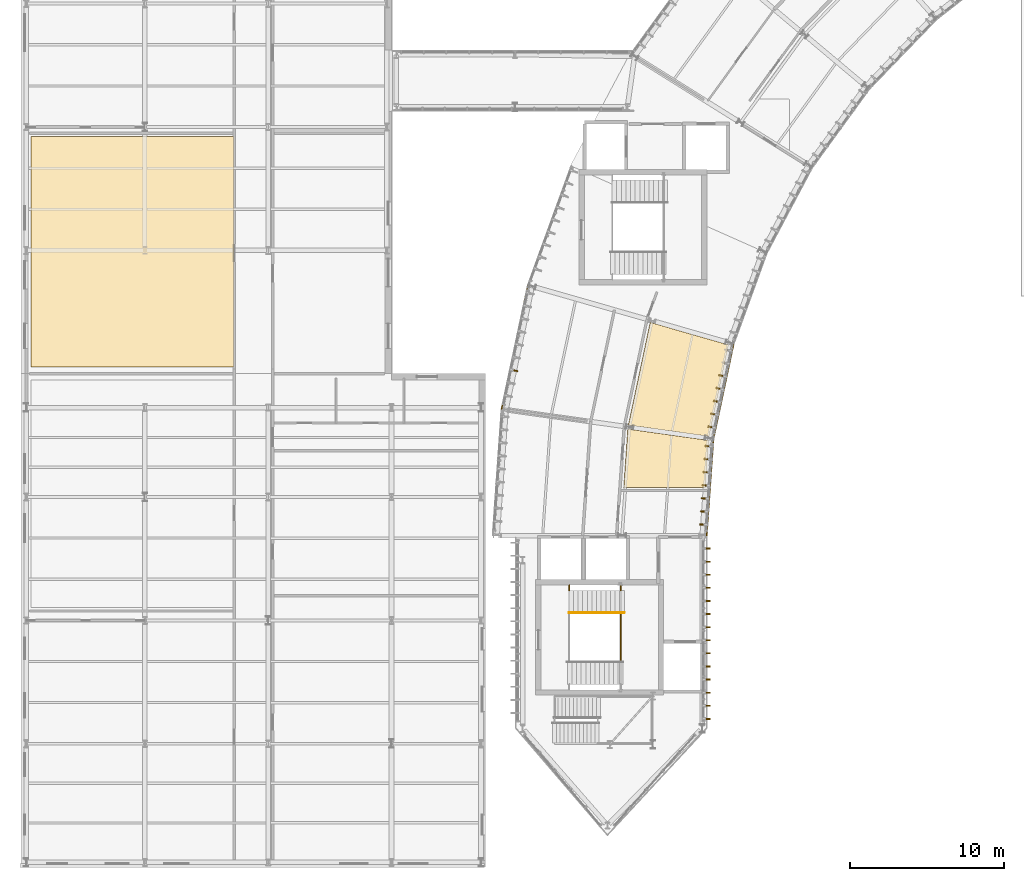
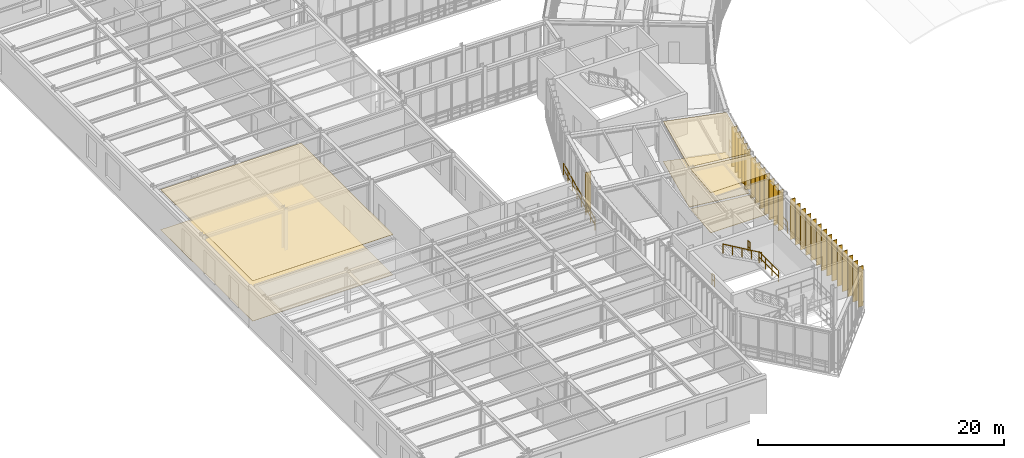
# One storey, part 50 of 57: 33 coverings, 7 railings.
"""IFC4 building model written with IfcOpenShell, lengths in metres."""

from ifc_helpers import new_model, si_unit, direction, frame, origin, origin_2d, place, context, subcontext, project, spatial, polyline, rectangle, circle, outline, extrude, material, layer, layer_set, type_object, element, save


model = new_model("IFC4")

# Units and contexts
model_context = context("Model", 3, precision=1e-05, world=origin(), true_north=direction((0.0, 1.0)))
body_context = subcontext(model_context, "Body", "Model", "MODEL_VIEW")
ifc_project = project(units=[si_unit("LENGTHUNIT", "METRE"), si_unit("AREAUNIT", "SQUARE_METRE"), si_unit("VOLUMEUNIT", "CUBIC_METRE"), si_unit("PLANEANGLEUNIT", "RADIAN"), si_unit("MASSUNIT", "GRAM", prefix="KILO"), si_unit("THERMODYNAMICTEMPERATUREUNIT", "KELVIN"), si_unit("POWERUNIT", "WATT")], contexts=[model_context])

# Site, building, storey
site_placement = place(None, origin())
site = spatial("IfcSite", under=ifc_project, at=site_placement, CompositionType="ELEMENT")
building_placement = place(site_placement, origin())
building = spatial("IfcBuilding", under=site, at=building_placement, Name="Solvatero Civic Police Headquarters", CompositionType="ELEMENT")
storey_placement = place(building_placement, frame((0.0, 0.0, 9.300048828125)))
storey = spatial("IfcBuildingStorey", under=building, at=storey_placement, Name="L02", CompositionType="ELEMENT", Elevation=9.300048828125)

# Coverings
ifc_material_1 = material(Name="Mineral-Fibre Acoustic Tile", Category="gypsum")
ifc_layer_1 = layer(ifc_material_1, 0.02490234375)
ifc_layer_set_1 = layer_set([ifc_layer_1], Name="Mineral-Fibre Acoustic Tile")
covering_type_1 = type_object("IfcCoveringType", Name="COV-CEIL-AC", PredefinedType="CEILING", material=ifc_layer_set_1)
covering_1_placement = place(storey_placement, frame((0.0, 0.0, 3.974853515625)))
element("IfcCovering", 1, at=covering_1_placement, inside=storey, type_object=covering_type_1, Name="Acoustic Ceiling ISO-7 Forensic DNA Extraction Cleanroom", PredefinedType="CEILING", context=body_context, shape_type="SweptSolid", body=[
    extrude(outline(polyline([(5.1201171875, 36.919921875), (5.1201171875, 51.8798828125), (18.280029296875, 51.8798828125), (18.280029296875, 36.919921875), (5.1201171875, 36.919921875)])), origin(), (0.0, 0.0, 1.0), 0.025146484375),
])
covering_2_placement = place(storey_placement, frame((0.0, 0.0, 3.974853515625)))
element("IfcCovering", 2, at=covering_2_placement, inside=storey, type_object=covering_type_1, Name="Acoustic Ceiling Homicide and Major Crimes Squad Bay 11", PredefinedType="CEILING", context=body_context, shape_type="SweptSolid", body=[
    extrude(outline(polyline([(49.09619140625, 32.431884765625), (43.8583984375, 33.168212890625), (45.2734375, 39.826416015625), (50.358154296875, 38.368408203125), (49.09619140625, 32.431884765625)])), origin(), (0.0, 0.0, 1.0), 0.025146484375),
])
covering_3_placement = place(storey_placement, frame((0.0, 0.0, 3.974853515625)))
element("IfcCovering", 3, at=covering_3_placement, inside=storey, type_object=covering_type_1, Name="Acoustic Ceiling Homicide and Major Crimes Squad Bay 12", PredefinedType="CEILING", context=body_context, shape_type="SweptSolid", body=[
    extrude(outline(polyline([(48.8486328125, 29.1298828125), (43.55908203125, 29.1298828125), (43.823486328125, 32.910400390625), (49.0615234375, 32.17431640625), (48.8486328125, 29.1298828125)])), origin(), (0.0, 0.0, 1.0), 0.025146484375),
])
ifc_material_2 = material(Name="Anodized Bronze Aluminium", Category="aluminium")
ifc_layer_2 = layer(ifc_material_2, 0.080078125)
ifc_layer_set_2 = layer_set([ifc_layer_2], Name="Anodized Bronze Aluminium")
covering_type_2 = type_object("IfcCoveringType", Name="COV-FIN-480", PredefinedType="CLADDING", material=ifc_layer_set_2)
for number, where, z_axis, x_axis, name in (
    (4, (36.443115234375, 36.713134765625, -0.02001953125), (0.0, 0.0, 1.0), (-0.207911690818, -0.978147600734, 0.0), "Vertical Brise-Soleil Fin 0513"),
    (5, (49.970458984375, 36.35400390625, -0.02001953125), (0.0, 0.0, 1.0), (-0.207911690818, -0.978147600734, 0.0), "Vertical Brise-Soleil Fin 0518"),
    (6, (49.793701171875, 35.522705078125, -0.02001953125), (0.0, 0.0, 1.0), (-0.207911690818, -0.978147600734, 0.0), "Vertical Brise-Soleil Fin 0519"),
    (7, (49.616943359375, 34.691162109375, -0.02001953125), (0.0, 0.0, 1.0), (-0.207911690818, -0.978147600734, 0.0), "Vertical Brise-Soleil Fin 0520"),
    (8, (49.440185546875, 33.859619140625, -0.02001953125), (0.0, 0.0, 1.0), (-0.207911690818, -0.978147600734, 0.0), "Vertical Brise-Soleil Fin 0521"),
    (9, (49.263427734375, 33.0283203125, -0.02001953125), (0.0, 0.0, 1.0), (-0.207911690818, -0.978147600734, 0.0), "Vertical Brise-Soleil Fin 0522"),
    (10, (49.07470703125, 31.79638671875, -0.02001953125), (0.0, 0.0, 1.0), (-0.069756473744, -0.99756405026, 0.0), "Vertical Brise-Soleil Fin 0532"),
    (11, (49.015380859375, 30.948486328125, -0.02001953125), (0.0, 0.0, 1.0), (-0.069756473744, -0.99756405026, 0.0), "Vertical Brise-Soleil Fin 0533"),
    (12, (48.956298828125, 30.1005859375, -0.02001953125), (0.0, 0.0, 1.0), (-0.069756473744, -0.99756405026, 0.0), "Vertical Brise-Soleil Fin 0534"),
    (13, (48.89697265625, 29.25244140625, -0.02001953125), (0.0, 0.0, 1.0), (-0.069756473744, -0.99756405026, 0.0), "Vertical Brise-Soleil Fin 0535"),
    (14, (48.837646484375, 28.404541015625, -0.02001953125), (0.0, 0.0, 1.0), (-0.069756473744, -0.99756405026, 0.0), "Vertical Brise-Soleil Fin 0536"),
    (15, (48.7783203125, 27.556640625, -0.02001953125), (0.0, 0.0, 1.0), (-0.069756473744, -0.99756405026, 0.0), "Vertical Brise-Soleil Fin 0537"),
    (16, (48.718994140625, 26.708740234375, -0.02001953125), (0.0, 0.0, 1.0), (-0.069756473744, -0.99756405026, 0.0), "Vertical Brise-Soleil Fin 0538"),
    (17, (48.929931640625, 14.110107421875, -0.02001953125), (0.0, 0.0, 1.0), (0.0, 1.0, 0.0), "Vertical Brise-Soleil Fin 0553"),
    (18, (48.929931640625, 14.9599609375, -0.02001953125), (0.0, 0.0, 1.0), (0.0, 1.0, 0.0), "Vertical Brise-Soleil Fin 0554"),
    (19, (48.929931640625, 15.81005859375, -0.02001953125), (0.0, 0.0, 1.0), (0.0, 1.0, 0.0), "Vertical Brise-Soleil Fin 0555"),
    (20, (48.929931640625, 16.659912109375, -0.02001953125), (0.0, 0.0, 1.0), (0.0, 1.0, 0.0), "Vertical Brise-Soleil Fin 0556"),
    (21, (48.929931640625, 17.510009765625, -0.02001953125), (0.0, 0.0, 1.0), (0.0, 1.0, 0.0), "Vertical Brise-Soleil Fin 0557"),
    (22, (48.929931640625, 18.360107421875, -0.02001953125), (0.0, 0.0, 1.0), (0.0, 1.0, 0.0), "Vertical Brise-Soleil Fin 0558"),
    (23, (48.929931640625, 19.2099609375, -0.02001953125), (0.0, 0.0, 1.0), (0.0, 1.0, 0.0), "Vertical Brise-Soleil Fin 0559"),
    (24, (48.929931640625, 20.06005859375, -0.02001953125), (0.0, 0.0, 1.0), (0.0, 1.0, 0.0), "Vertical Brise-Soleil Fin 0560"),
    (25, (48.929931640625, 20.909912109375, -0.02001953125), (0.0, 0.0, 1.0), (0.0, 1.0, 0.0), "Vertical Brise-Soleil Fin 0561"),
    (26, (48.929931640625, 21.760009765625, -0.02001953125), (0.0, 0.0, 1.0), (0.0, 1.0, 0.0), "Vertical Brise-Soleil Fin 0562"),
    (27, (48.929931640625, 22.610107421875, -0.02001953125), (0.0, 0.0, 1.0), (0.0, 1.0, 0.0), "Vertical Brise-Soleil Fin 0563"),
    (28, (48.929931640625, 23.4599609375, -0.02001953125), (0.0, 0.0, 1.0), (0.0, 1.0, 0.0), "Vertical Brise-Soleil Fin 0564"),
    (29, (48.929931640625, 24.31005859375, -0.02001953125), (0.0, 0.0, 1.0), (0.0, 1.0, 0.0), "Vertical Brise-Soleil Fin 0565"),
    (30, (48.929931640625, 25.159912109375, -0.02001953125), (0.0, 0.0, 1.0), (0.0, 1.0, 0.0), "Vertical Brise-Soleil Fin 0566"),
):
    element("IfcCovering", number, at=place(storey_placement, frame(where, z_axis=z_axis, x_axis=x_axis)), inside=storey, type_object=covering_type_2, Name=name, PredefinedType="CLADDING", context=body_context, shape_type="SweptSolid", body=[
        extrude(rectangle(XDim=0.080078125, YDim=0.47998046875, at=origin_2d()), origin(), (0.0, 0.0, 1.0), 3.97998046875),
    ])
ifc_material_3 = material(Name="Anti-Static Laboratory Epoxy", Category="plastic")
ifc_layer_3 = layer(ifc_material_3, 0.014892578125)
ifc_layer_set_3 = layer_set([ifc_layer_3], Name="Anti-Static Laboratory Epoxy")
covering_type_3 = type_object("IfcCoveringType", Name="COV-FLR-EPX", PredefinedType="FLOORING", material=ifc_layer_set_3)
covering_4_placement = place(storey_placement, origin())
element("IfcCovering", 31, at=covering_4_placement, inside=storey, type_object=covering_type_3, Name="Flooring ISO-7 Forensic DNA Extraction Cleanroom", PredefinedType="FLOORING", context=body_context, shape_type="SweptSolid", body=[
    extrude(outline(polyline([(5.1201171875, 36.919921875), (5.1201171875, 51.8798828125), (18.280029296875, 51.8798828125), (18.280029296875, 36.919921875), (5.1201171875, 36.919921875)])), origin(), (0.0, 0.0, 1.0), 0.014892578125),
])
ifc_material_4 = material(Name="Venetian Terrazzo Stone", Category="masonry")
ifc_layer_4 = layer(ifc_material_4, 0.034912109375)
ifc_layer_set_4 = layer_set([ifc_layer_4], Name="Venetian Terrazzo Stone")
covering_type_4 = type_object("IfcCoveringType", Name="COV-FLR-TER", PredefinedType="FLOORING", material=ifc_layer_set_4)
covering_5_placement = place(storey_placement, origin())
element("IfcCovering", 32, at=covering_5_placement, inside=storey, type_object=covering_type_4, Name="Flooring Homicide and Major Crimes Squad Bay 11", PredefinedType="FLOORING", context=body_context, shape_type="SweptSolid", body=[
    extrude(outline(polyline([(49.09619140625, 32.431884765625), (43.8583984375, 33.168212890625), (45.2734375, 39.826416015625), (50.358154296875, 38.368408203125), (49.09619140625, 32.431884765625)])), origin(), (0.0, 0.0, 1.0), 0.034912109375),
])
covering_6_placement = place(storey_placement, origin())
element("IfcCovering", 33, at=covering_6_placement, inside=storey, type_object=covering_type_4, Name="Flooring Homicide and Major Crimes Squad Bay 12", PredefinedType="FLOORING", context=body_context, shape_type="SweptSolid", body=[
    extrude(outline(polyline([(48.8486328125, 29.1298828125), (43.55908203125, 29.1298828125), (43.823486328125, 32.910400390625), (49.0615234375, 32.17431640625), (48.8486328125, 29.1298828125)])), origin(), (0.0, 0.0, 1.0), 0.034912109375),
])

# Railings
ifc_material_5 = material(Name="Anodized Bronze and Laminated Glass", Category="glass")
railing_type_1 = type_object("IfcRailingType", Name="RL-BAL-115", PredefinedType="BALUSTRADE", material=ifc_material_5)
railing_1_placement = place(storey_placement, frame((50.685546875, 38.420166015625, 0.0)))
element("IfcRailing", 34, at=railing_1_placement, inside=storey, type_object=railing_type_1, Name="Glazed Facade Sill Balustrade RL-L02-ARCIN-B11", PredefinedType="BALUSTRADE", context=body_context, shape_type="SweptSolid", body=[
    extrude(circle(Radius=0.02392578125, at=origin_2d()), frame((0.0, 0.0, 1.1259765625), z_axis=(-0.207924245306, -0.978144932111, 0.0), x_axis=(0.978144932111, -0.207924245306, 0.0)), (0.0, 0.0, 1.0), 6.28662109375),
    extrude(circle(Radius=0.02392578125, at=origin_2d()), frame((0.0, 0.0, 0.55078125), z_axis=(-0.207924245306, -0.978144932111, 0.0), x_axis=(0.978144932111, -0.207924245306, 0.0)), (0.0, 0.0, 1.0), 6.28662109375),
    extrude(circle(Radius=0.02099609375, at=origin_2d()), origin(), (0.0, 0.0, 1.0), 1.101806640625),
    extrude(circle(Radius=0.02099609375, at=origin_2d()), frame((-0.2177734375, -1.02490234375, 0.0)), (0.0, 0.0, 1.0), 1.101806640625),
    extrude(circle(Radius=0.02099609375, at=origin_2d()), frame((-0.435791015625, -2.0498046875, 0.0)), (0.0, 0.0, 1.0), 1.101806640625),
    extrude(circle(Radius=0.02099609375, at=origin_2d()), frame((-0.653564453125, -3.07470703125, 0.0)), (0.0, 0.0, 1.0), 1.101806640625),
    extrude(circle(Radius=0.02099609375, at=origin_2d()), frame((-0.871337890625, -4.099365234375, 0.0)), (0.0, 0.0, 1.0), 1.101806640625),
    extrude(circle(Radius=0.02099609375, at=origin_2d()), frame((-1.08935546875, -5.124267578125, 0.0)), (0.0, 0.0, 1.0), 1.101806640625),
    extrude(circle(Radius=0.02099609375, at=origin_2d()), frame((-1.30712890625, -6.149169921875, 0.0)), (0.0, 0.0, 1.0), 1.101806640625),
])
railing_2_placement = place(storey_placement, frame((37.34326171875, 42.24609375, 0.0)))
element("IfcRailing", 35, at=railing_2_placement, inside=storey, type_object=railing_type_1, Name="Glazed Facade Sill Balustrade RL-L02-ARCOUT-B11", PredefinedType="BALUSTRADE", context=body_context, shape_type="SweptSolid", body=[
    extrude(circle(Radius=0.02392578125, at=origin_2d()), frame((0.0, 0.0, 1.1259765625), z_axis=(-0.207920896775, -0.978145643902, 0.0), x_axis=(0.978145643902, -0.207920896775, 0.0)), (0.0, 0.0, 1.0), 8.222900390625),
    extrude(circle(Radius=0.02392578125, at=origin_2d()), frame((0.0, 0.0, 0.55078125), z_axis=(-0.207920896775, -0.978145643902, 0.0), x_axis=(0.978145643902, -0.207920896775, 0.0)), (0.0, 0.0, 1.0), 8.222900390625),
    extrude(circle(Radius=0.02099609375, at=origin_2d()), origin(), (0.0, 0.0, 1.0), 1.101806640625),
    extrude(circle(Radius=0.02099609375, at=origin_2d()), frame((-0.244140625, -1.14892578125, 0.0)), (0.0, 0.0, 1.0), 1.101806640625),
    extrude(circle(Radius=0.02099609375, at=origin_2d()), frame((-0.488525390625, -2.298095703125, 0.0)), (0.0, 0.0, 1.0), 1.101806640625),
    extrude(circle(Radius=0.02099609375, at=origin_2d()), frame((-0.732666015625, -3.447021484375, 0.0)), (0.0, 0.0, 1.0), 1.101806640625),
    extrude(circle(Radius=0.02099609375, at=origin_2d()), frame((-0.97705078125, -4.59619140625, 0.0)), (0.0, 0.0, 1.0), 1.101806640625),
    extrude(circle(Radius=0.02099609375, at=origin_2d()), frame((-1.22119140625, -5.7451171875, 0.0)), (0.0, 0.0, 1.0), 1.101806640625),
    extrude(circle(Radius=0.02099609375, at=origin_2d()), frame((-1.465576171875, -6.894287109375, 0.0)), (0.0, 0.0, 1.0), 1.101806640625),
    extrude(circle(Radius=0.02099609375, at=origin_2d()), frame((-1.709716796875, -8.043212890625, 0.0)), (0.0, 0.0, 1.0), 1.101806640625),
])
railing_3_placement = place(storey_placement, frame((49.37841796875, 32.27099609375, 0.0)))
element("IfcRailing", 36, at=railing_3_placement, inside=storey, type_object=railing_type_1, Name="Glazed Facade Sill Balustrade RL-L02-ARCIN-B12", PredefinedType="BALUSTRADE", context=body_context, shape_type="SweptSolid", body=[
    extrude(circle(Radius=0.02392578125, at=origin_2d()), frame((0.0, 0.0, 1.1259765625), z_axis=(-0.069751059496, -0.997564428846, 0.0), x_axis=(0.997564428846, -0.069751059496, 0.0)), (0.0, 0.0, 1.0), 6.286376953125),
    extrude(circle(Radius=0.02392578125, at=origin_2d()), frame((0.0, 0.0, 0.55078125), z_axis=(-0.069751059496, -0.997564428846, 0.0), x_axis=(0.997564428846, -0.069751059496, 0.0)), (0.0, 0.0, 1.0), 6.286376953125),
    extrude(circle(Radius=0.02099609375, at=origin_2d()), origin(), (0.0, 0.0, 1.0), 1.101806640625),
    extrude(circle(Radius=0.02099609375, at=origin_2d()), frame((-0.072998046875, -1.045166015625, 0.0)), (0.0, 0.0, 1.0), 1.101806640625),
    extrude(circle(Radius=0.02099609375, at=origin_2d()), frame((-0.146240234375, -2.09033203125, 0.0)), (0.0, 0.0, 1.0), 1.101806640625),
    extrude(circle(Radius=0.02099609375, at=origin_2d()), frame((-0.21923828125, -3.135498046875, 0.0)), (0.0, 0.0, 1.0), 1.101806640625),
    extrude(circle(Radius=0.02099609375, at=origin_2d()), frame((-0.292236328125, -4.1806640625, 0.0)), (0.0, 0.0, 1.0), 1.101806640625),
    extrude(circle(Radius=0.02099609375, at=origin_2d()), frame((-0.365478515625, -5.225830078125, 0.0)), (0.0, 0.0, 1.0), 1.101806640625),
    extrude(circle(Radius=0.02099609375, at=origin_2d()), frame((-0.4384765625, -6.27099609375, 0.0)), (0.0, 0.0, 1.0), 1.101806640625),
])
ifc_material_6 = material(Name="Painted Galvanized Steel", Category="steel")
railing_type_2 = type_object("IfcRailingType", Name="RL-GRD-110", PredefinedType="GUARDRAIL", material=ifc_material_6)
railing_4_placement = place(storey_placement, frame((40.030029296875, 22.429931640625, 0.0)))
element("IfcRailing", 37, at=railing_4_placement, inside=storey, type_object=railing_type_2, Name="ST-C1 L02 Floor Well North Slot Guardrail", PredefinedType="GUARDRAIL", context=body_context, shape_type="SweptSolid", body=[
    extrude(circle(Radius=0.02392578125, at=origin_2d()), frame((0.0, 0.0, 1.09619140625), z_axis=(0.0, 1.0, 0.0), x_axis=(-1.0, 0.0, 0.0)), (0.0, 0.0, 1.0), 0.360107421875),
    extrude(circle(Radius=0.02392578125, at=origin_2d()), frame((0.0, 0.0, 0.5361328125), z_axis=(0.0, 1.0, 0.0), x_axis=(-1.0, 0.0, 0.0)), (0.0, 0.0, 1.0), 0.360107421875),
    extrude(circle(Radius=0.02099609375, at=origin_2d()), origin(), (0.0, 0.0, 1.0), 1.072021484375),
    extrude(circle(Radius=0.02099609375, at=origin_2d()), frame((0.0, 0.360107421875, 0.0)), (0.0, 0.0, 1.0), 1.072021484375),
])
railing_5_placement = place(storey_placement, frame((43.3701171875, 17.830078125, 2.099853515625)))
element("IfcRailing", 38, at=railing_5_placement, inside=storey, type_object=railing_type_2, Name="ST-C1 L02 Half-Landing Well Guardrail", PredefinedType="GUARDRAIL", context=body_context, shape_type="SweptSolid", body=[
    extrude(circle(Radius=0.02392578125, at=origin_2d()), frame((0.0, 0.0, 1.09619140625), z_axis=(0.0, 1.0, 0.0), x_axis=(-1.0, 0.0, 0.0)), (0.0, 0.0, 1.0), 3.139892578125),
    extrude(circle(Radius=0.02392578125, at=origin_2d()), frame((0.0, 0.0, 0.5361328125), z_axis=(0.0, 1.0, 0.0), x_axis=(-1.0, 0.0, 0.0)), (0.0, 0.0, 1.0), 3.139892578125),
    extrude(circle(Radius=0.02099609375, at=origin_2d()), origin(), (0.0, 0.0, 1.0), 1.072021484375),
    extrude(circle(Radius=0.02099609375, at=origin_2d()), frame((0.0, 1.046630859375, 0.0)), (0.0, 0.0, 1.0), 1.072021484375),
    extrude(circle(Radius=0.02099609375, at=origin_2d()), frame((0.0, 2.09326171875, 0.0)), (0.0, 0.0, 1.0), 1.072021484375),
    extrude(circle(Radius=0.02099609375, at=origin_2d()), frame((0.0, 3.139892578125, 0.0)), (0.0, 0.0, 1.0), 1.072021484375),
])
railing_6_placement = place(storey_placement, frame((43.3701171875, 22.429931640625, 2.099853515625)))
element("IfcRailing", 39, at=railing_6_placement, inside=storey, type_object=railing_type_2, Name="ST-C1 L02 Half-Landing North Slot Guardrail", PredefinedType="GUARDRAIL", context=body_context, shape_type="SweptSolid", body=[
    extrude(circle(Radius=0.02392578125, at=origin_2d()), frame((0.0, 0.0, 1.09619140625), z_axis=(0.0, 1.0, 0.0), x_axis=(-1.0, 0.0, 0.0)), (0.0, 0.0, 1.0), 0.360107421875),
    extrude(circle(Radius=0.02392578125, at=origin_2d()), frame((0.0, 0.0, 0.5361328125), z_axis=(0.0, 1.0, 0.0), x_axis=(-1.0, 0.0, 0.0)), (0.0, 0.0, 1.0), 0.360107421875),
    extrude(circle(Radius=0.02099609375, at=origin_2d()), origin(), (0.0, 0.0, 1.0), 1.072021484375),
    extrude(circle(Radius=0.02099609375, at=origin_2d()), frame((0.0, 0.360107421875, 0.0)), (0.0, 0.0, 1.0), 1.072021484375),
])
ifc_material_7 = material(Name="Brushed Stainless Steel", Category="steel")
railing_type_3 = type_object("IfcRailingType", Name="RL-HND-092", PredefinedType="HANDRAIL", material=ifc_material_7)
railing_7_placement = place(storey_placement, frame((43.60009765625, 21.0, 2.099853515625)))
element("IfcRailing", 40, at=railing_7_placement, inside=storey, type_object=railing_type_3, Name="ST-C1 L02 Flight 2 Handrail", PredefinedType="HANDRAIL", context=body_context, shape_type="SweptSolid", body=[
    extrude(circle(Radius=0.02392578125, at=origin_2d()), frame((0.0, 0.0, 0.89599609375), z_axis=(-0.863774651768, 0.0, 0.503878309678), x_axis=(0.0, -1.0, 0.0)), (0.0, 0.0, 1.0), 4.16796875),
    extrude(circle(Radius=0.02099609375, at=origin_2d()), origin(), (0.0, 0.0, 1.0), 0.871826171875),
    extrude(circle(Radius=0.02099609375, at=origin_2d()), frame((-0.89990234375, 0.0, 0.52490234375)), (0.0, 0.0, 1.0), 0.871826171875),
    extrude(circle(Radius=0.02099609375, at=origin_2d()), frame((-1.800048828125, 0.0, 1.050048828125)), (0.0, 0.0, 1.0), 0.871826171875),
    extrude(circle(Radius=0.02099609375, at=origin_2d()), frame((-2.7001953125, 0.0, 1.5751953125)), (0.0, 0.0, 1.0), 0.871826171875),
    extrude(circle(Radius=0.02099609375, at=origin_2d()), frame((-3.60009765625, 0.0, 2.10009765625)), (0.0, 0.0, 1.0), 0.871826171875),
])

save(model, "model.ifc")
